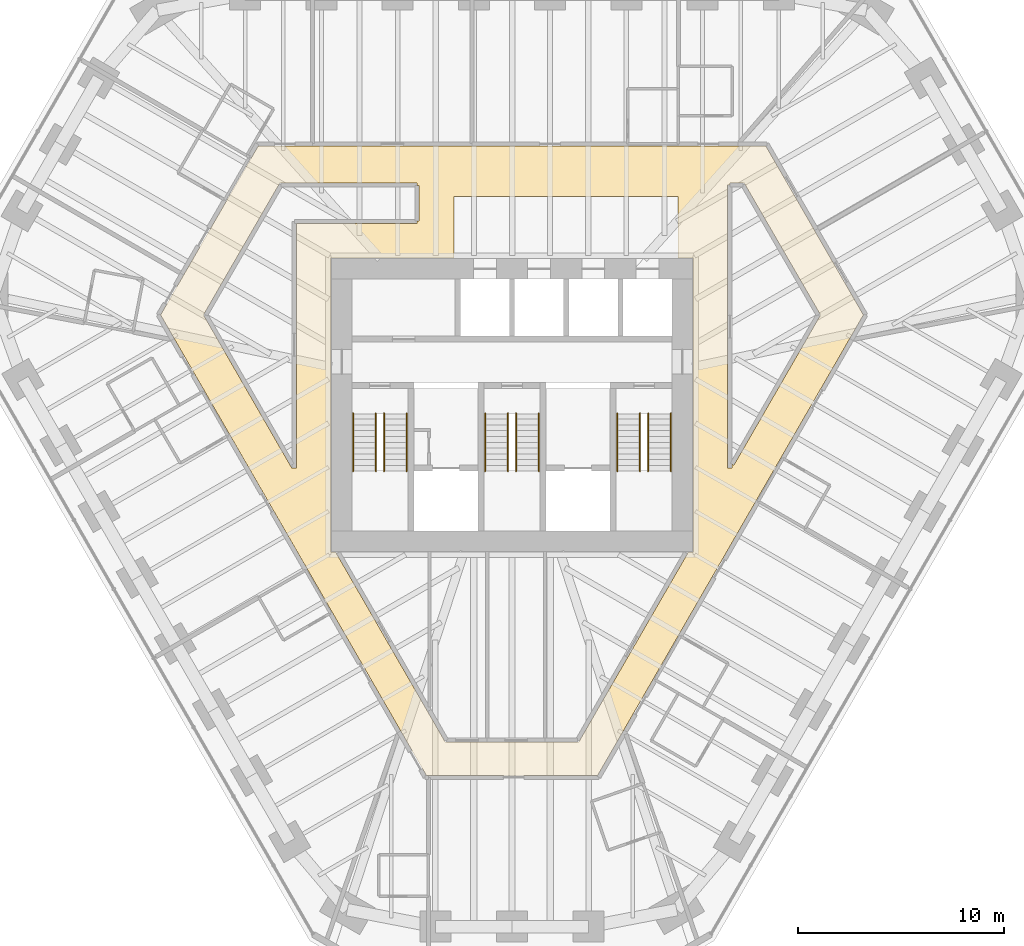
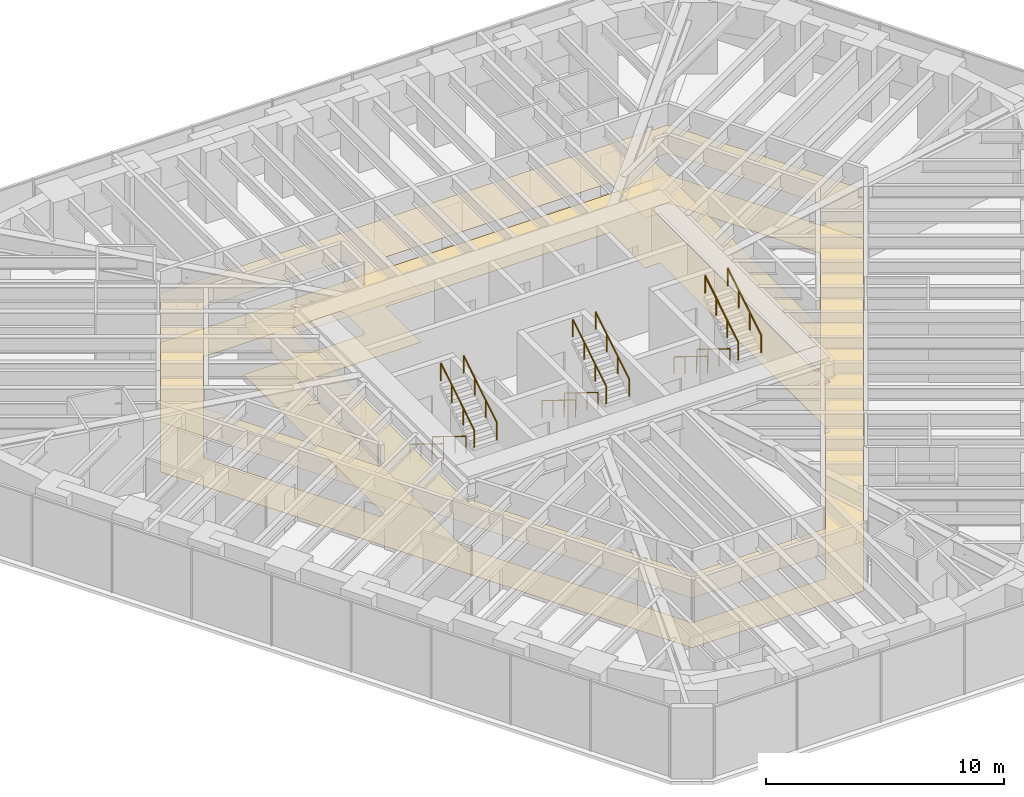
# One storey, part 16 of 16: 12 railings, 2 coverings.
"""IFC4 building model written with IfcOpenShell, lengths in metres."""

from ifc_helpers import new_model, si_unit, direction, frame, origin, origin_2d, place, context, subcontext, project, spatial, polyline, circle, outline, extrude, material, layer, layer_set, type_object, element, save


model = new_model("IFC4")

# Units and contexts
model_context = context("Model", 3, precision=1e-05, world=origin(), true_north=direction((0.0, 1.0)))
body_context = subcontext(model_context, "Body", "Model", "MODEL_VIEW")
ifc_project = project(units=[si_unit("LENGTHUNIT", "METRE"), si_unit("AREAUNIT", "SQUARE_METRE"), si_unit("VOLUMEUNIT", "CUBIC_METRE"), si_unit("PLANEANGLEUNIT", "RADIAN"), si_unit("MASSUNIT", "GRAM", prefix="KILO")], contexts=[model_context])

# Site, building, storey
site_placement = place(None, origin())
site = spatial("IfcSite", under=ifc_project, at=site_placement, CompositionType="ELEMENT")
building_placement = place(site_placement, origin())
building = spatial("IfcBuilding", under=site, at=building_placement, Name="Sandreach Pilgrim Tower", CompositionType="ELEMENT")
storey_placement = place(building_placement, frame((0.0, 0.0, 228.800048828125)))
storey = spatial("IfcBuildingStorey", under=building, at=storey_placement, Name="L57", CompositionType="ELEMENT", Elevation=228.800048828125)

# Coverings
ifc_material_1 = material(Name="Nylon carpet tile on the slab", Category="textile")
ifc_layer_1 = layer(ifc_material_1, 0.008056640625)
ifc_layer_set_1 = layer_set([ifc_layer_1], Name="Carpet tile")
covering_type_1 = type_object("IfcCoveringType", Name="Carpet tile", PredefinedType="FLOORING", material=ifc_layer_set_1)
covering_1_placement = place(storey_placement, origin())
element("IfcCovering", 1, at=covering_1_placement, inside=storey, type_object=covering_type_1, Name="Floor finish 57C Corridor 57", PredefinedType="FLOORING", context=body_context, shape_type="SweptSolid", body=[
    extrude(outline(polyline([(-4.15234375, -17.929931640625), (-17.024658203125, 4.369873046875), (-12.292236328125, 12.56005859375), (12.292236328125, 12.56005859375), (17.0244140625, 4.369873046875), (4.15234375, -17.929931640625), (-4.15234375, -17.929931640625)]), holes=[polyline([(10.449951171875, -3.050048828125), (10.64990234375, -3.050048828125), (10.64990234375, -2.853759765625), (10.74658203125, -2.909423828125), (14.945556640625, 4.3701171875), (11.24755859375, 10.760009765625), (10.56005859375, 10.760009765625), (10.56005859375, 10.66015625), (10.449951171875, 10.659912109375), (10.449951171875, -3.050048828125)]), polyline([(-3.227783203125, -16.330078125), (3.227783203125, -16.330078125), (8.542724609375, -7.1201171875), (8.77001953125, -7.1201171875), (8.77001953125, 7.1201171875), (8.050048828125, 7.1201171875), (8.050048828125, 10.10009765625), (-2.800048828125, 10.10009765625), (-2.800048828125, 7.1201171875), (-8.77001953125, 7.1201171875), (-8.77001953125, -7.1201171875), (-8.542724609375, -7.1201171875), (-3.227783203125, -16.330078125)]), polyline([(-14.945556640625, 4.3701171875), (-10.66552734375, -3.050048828125), (-10.449951171875, -3.050048828125), (-10.449951171875, 8.800048828125), (-4.60009765625, 8.800048828125), (-4.60009765625, 8.909912109375), (-4.5, 8.909912109375), (-4.5, 10.64990234375), (-4.60009765625, 10.64990234375), (-4.60009765625, 10.760009765625), (-11.24755859375, 10.760009765625), (-14.945556640625, 4.3701171875)])]), origin(), (0.0, 0.0, 1.0), 0.008056640625),
])
ifc_material_2 = material(Name="Gypsum board suspended ceiling on a steel grid", Category="steel")
ifc_layer_2 = layer(ifc_material_2, 0.012939453125)
ifc_layer_set_2 = layer_set([ifc_layer_2], Name="Gypsum board suspended ceiling")
covering_type_2 = type_object("IfcCoveringType", Name="Gypsum board suspended ceiling", PredefinedType="CEILING", material=ifc_layer_set_2)
covering_2_placement = place(storey_placement, frame((0.0, 0.0, 2.550048828125)))
element("IfcCovering", 2, at=covering_2_placement, inside=storey, type_object=covering_type_2, Name="Ceiling 57C Corridor 57", PredefinedType="CEILING", context=body_context, shape_type="SweptSolid", body=[
    extrude(outline(polyline([(-4.15234375, -17.929931640625), (-17.024658203125, 4.369873046875), (-12.292236328125, 12.56005859375), (12.292236328125, 12.56005859375), (17.0244140625, 4.369873046875), (4.15234375, -17.929931640625), (-4.15234375, -17.929931640625)]), holes=[polyline([(10.449951171875, -3.050048828125), (10.64990234375, -3.050048828125), (10.64990234375, -2.853759765625), (10.74658203125, -2.909423828125), (14.945556640625, 4.3701171875), (11.24755859375, 10.760009765625), (10.56005859375, 10.760009765625), (10.56005859375, 10.66015625), (10.449951171875, 10.659912109375), (10.449951171875, -3.050048828125)]), polyline([(-3.227783203125, -16.330078125), (3.227783203125, -16.330078125), (8.542724609375, -7.1201171875), (8.77001953125, -7.1201171875), (8.77001953125, 7.1201171875), (8.050048828125, 7.1201171875), (8.050048828125, 10.10009765625), (-2.800048828125, 10.10009765625), (-2.800048828125, 7.1201171875), (-8.77001953125, 7.1201171875), (-8.77001953125, -7.1201171875), (-8.542724609375, -7.1201171875), (-3.227783203125, -16.330078125)]), polyline([(-14.945556640625, 4.3701171875), (-10.66552734375, -3.050048828125), (-10.449951171875, -3.050048828125), (-10.449951171875, 8.800048828125), (-4.60009765625, 8.800048828125), (-4.60009765625, 8.909912109375), (-4.5, 8.909912109375), (-4.5, 10.64990234375), (-4.60009765625, 10.64990234375), (-4.60009765625, 10.760009765625), (-11.24755859375, 10.760009765625), (-14.945556640625, 4.3701171875)])]), origin(), (0.0, 0.0, 1.0), 0.012939453125),
])

# Railings
ifc_material_3 = material(Name="Stainless steel tube", Category="steel")
railing_type = type_object("IfcRailingType", Name="Stair handrail", PredefinedType="HANDRAIL", material=ifc_material_3)
for number, where, name in (
    (3, (-6.60009765625, -0.39990234375, 0.172607421875), "Handrail ST1 L57 flight 1"),
    (4, (-7.699951171875, -0.39990234375, 0.172607421875), "Handrail ST1 L57 flight 1"),
):
    element("IfcRailing", number, at=place(storey_placement, frame(where)), inside=storey, type_object=railing_type, Name=name, PredefinedType="HANDRAIL", context=body_context, shape_type="SweptSolid", body=[
        extrude(circle(Radius=0.02392578125, at=origin_2d()), frame((0.0, 0.0, 0.8759765625), z_axis=(0.0, -0.851089632645, 0.525020415988), x_axis=(1.0, 0.0, 0.0)), (0.0, 0.0, 1.0), 3.2900390625),
        extrude(circle(Radius=0.02099609375, at=origin_2d()), origin(), (0.0, 0.0, 1.0), 0.851806640625),
        extrude(circle(Radius=0.02099609375, at=origin_2d()), frame((0.0, -0.933349609375, 0.57568359375)), (0.0, 0.0, 1.0), 0.851806640625),
        extrude(circle(Radius=0.02099609375, at=origin_2d()), frame((0.0, -1.86669921875, 1.151611328125)), (0.0, 0.0, 1.0), 0.851806640625),
        extrude(circle(Radius=0.02099609375, at=origin_2d()), frame((0.0, -2.800048828125, 1.727294921875)), (0.0, 0.0, 1.0), 0.851806640625),
    ])
for number, where, name in (
    (5, (-6.199951171875, -3.199951171875, 2.07275390625), "Handrail ST1 L57 flight 2"),
    (6, (-5.10009765625, -3.199951171875, 2.07275390625), "Handrail ST1 L57 flight 2"),
):
    element("IfcRailing", number, at=place(storey_placement, frame(where)), inside=storey, type_object=railing_type, Name=name, PredefinedType="HANDRAIL", context=body_context, shape_type="SweptSolid", body=[
        extrude(circle(Radius=0.02392578125, at=origin_2d()), frame((0.0, 0.0, 0.8759765625), z_axis=(0.0, 0.851089632645, 0.525020415988), x_axis=(-1.0, 0.0, 0.0)), (0.0, 0.0, 1.0), 3.2900390625),
        extrude(circle(Radius=0.02099609375, at=origin_2d()), origin(), (0.0, 0.0, 1.0), 0.851806640625),
        extrude(circle(Radius=0.02099609375, at=origin_2d()), frame((0.0, 0.933349609375, 0.57568359375)), (0.0, 0.0, 1.0), 0.851806640625),
        extrude(circle(Radius=0.02099609375, at=origin_2d()), frame((0.0, 1.86669921875, 1.151611328125)), (0.0, 0.0, 1.0), 0.851806640625),
        extrude(circle(Radius=0.02099609375, at=origin_2d()), frame((0.0, 2.800048828125, 1.727294921875)), (0.0, 0.0, 1.0), 0.851806640625),
    ])
for number, where, name in (
    (7, (-0.199951171875, -0.39990234375, 0.172607421875), "Handrail ST3 L57 flight 1"),
    (8, (-1.300048828125, -0.39990234375, 0.172607421875), "Handrail ST3 L57 flight 1"),
):
    element("IfcRailing", number, at=place(storey_placement, frame(where)), inside=storey, type_object=railing_type, Name=name, PredefinedType="HANDRAIL", context=body_context, shape_type="SweptSolid", body=[
        extrude(circle(Radius=0.02392578125, at=origin_2d()), frame((0.0, 0.0, 0.8759765625), z_axis=(0.0, -0.851089632645, 0.525020415988), x_axis=(1.0, 0.0, 0.0)), (0.0, 0.0, 1.0), 3.2900390625),
        extrude(circle(Radius=0.02099609375, at=origin_2d()), origin(), (0.0, 0.0, 1.0), 0.851806640625),
        extrude(circle(Radius=0.02099609375, at=origin_2d()), frame((0.0, -0.933349609375, 0.57568359375)), (0.0, 0.0, 1.0), 0.851806640625),
        extrude(circle(Radius=0.02099609375, at=origin_2d()), frame((0.0, -1.86669921875, 1.151611328125)), (0.0, 0.0, 1.0), 0.851806640625),
        extrude(circle(Radius=0.02099609375, at=origin_2d()), frame((0.0, -2.800048828125, 1.727294921875)), (0.0, 0.0, 1.0), 0.851806640625),
    ])
for number, where, name in (
    (9, (0.199951171875, -3.199951171875, 2.07275390625), "Handrail ST3 L57 flight 2"),
    (10, (1.300048828125, -3.199951171875, 2.07275390625), "Handrail ST3 L57 flight 2"),
):
    element("IfcRailing", number, at=place(storey_placement, frame(where)), inside=storey, type_object=railing_type, Name=name, PredefinedType="HANDRAIL", context=body_context, shape_type="SweptSolid", body=[
        extrude(circle(Radius=0.02392578125, at=origin_2d()), frame((0.0, 0.0, 0.8759765625), z_axis=(0.0, 0.851089632645, 0.525020415988), x_axis=(-1.0, 0.0, 0.0)), (0.0, 0.0, 1.0), 3.2900390625),
        extrude(circle(Radius=0.02099609375, at=origin_2d()), origin(), (0.0, 0.0, 1.0), 0.851806640625),
        extrude(circle(Radius=0.02099609375, at=origin_2d()), frame((0.0, 0.933349609375, 0.57568359375)), (0.0, 0.0, 1.0), 0.851806640625),
        extrude(circle(Radius=0.02099609375, at=origin_2d()), frame((0.0, 1.86669921875, 1.151611328125)), (0.0, 0.0, 1.0), 0.851806640625),
        extrude(circle(Radius=0.02099609375, at=origin_2d()), frame((0.0, 2.800048828125, 1.727294921875)), (0.0, 0.0, 1.0), 0.851806640625),
    ])
for number, where, name in (
    (11, (6.199951171875, -0.39990234375, 0.172607421875), "Handrail ST2 L57 flight 1"),
    (12, (5.10009765625, -0.39990234375, 0.172607421875), "Handrail ST2 L57 flight 1"),
):
    element("IfcRailing", number, at=place(storey_placement, frame(where)), inside=storey, type_object=railing_type, Name=name, PredefinedType="HANDRAIL", context=body_context, shape_type="SweptSolid", body=[
        extrude(circle(Radius=0.02392578125, at=origin_2d()), frame((0.0, 0.0, 0.8759765625), z_axis=(0.0, -0.851089632645, 0.525020415988), x_axis=(1.0, 0.0, 0.0)), (0.0, 0.0, 1.0), 3.2900390625),
        extrude(circle(Radius=0.02099609375, at=origin_2d()), origin(), (0.0, 0.0, 1.0), 0.851806640625),
        extrude(circle(Radius=0.02099609375, at=origin_2d()), frame((0.0, -0.933349609375, 0.57568359375)), (0.0, 0.0, 1.0), 0.851806640625),
        extrude(circle(Radius=0.02099609375, at=origin_2d()), frame((0.0, -1.86669921875, 1.151611328125)), (0.0, 0.0, 1.0), 0.851806640625),
        extrude(circle(Radius=0.02099609375, at=origin_2d()), frame((0.0, -2.800048828125, 1.727294921875)), (0.0, 0.0, 1.0), 0.851806640625),
    ])
for number, where, name in (
    (13, (6.60009765625, -3.199951171875, 2.07275390625), "Handrail ST2 L57 flight 2"),
    (14, (7.699951171875, -3.199951171875, 2.07275390625), "Handrail ST2 L57 flight 2"),
):
    element("IfcRailing", number, at=place(storey_placement, frame(where)), inside=storey, type_object=railing_type, Name=name, PredefinedType="HANDRAIL", context=body_context, shape_type="SweptSolid", body=[
        extrude(circle(Radius=0.02392578125, at=origin_2d()), frame((0.0, 0.0, 0.8759765625), z_axis=(0.0, 0.851089632645, 0.525020415988), x_axis=(-1.0, 0.0, 0.0)), (0.0, 0.0, 1.0), 3.2900390625),
        extrude(circle(Radius=0.02099609375, at=origin_2d()), origin(), (0.0, 0.0, 1.0), 0.851806640625),
        extrude(circle(Radius=0.02099609375, at=origin_2d()), frame((0.0, 0.933349609375, 0.57568359375)), (0.0, 0.0, 1.0), 0.851806640625),
        extrude(circle(Radius=0.02099609375, at=origin_2d()), frame((0.0, 1.86669921875, 1.151611328125)), (0.0, 0.0, 1.0), 0.851806640625),
        extrude(circle(Radius=0.02099609375, at=origin_2d()), frame((0.0, 2.800048828125, 1.727294921875)), (0.0, 0.0, 1.0), 0.851806640625),
    ])

save(model, "model.ifc")
